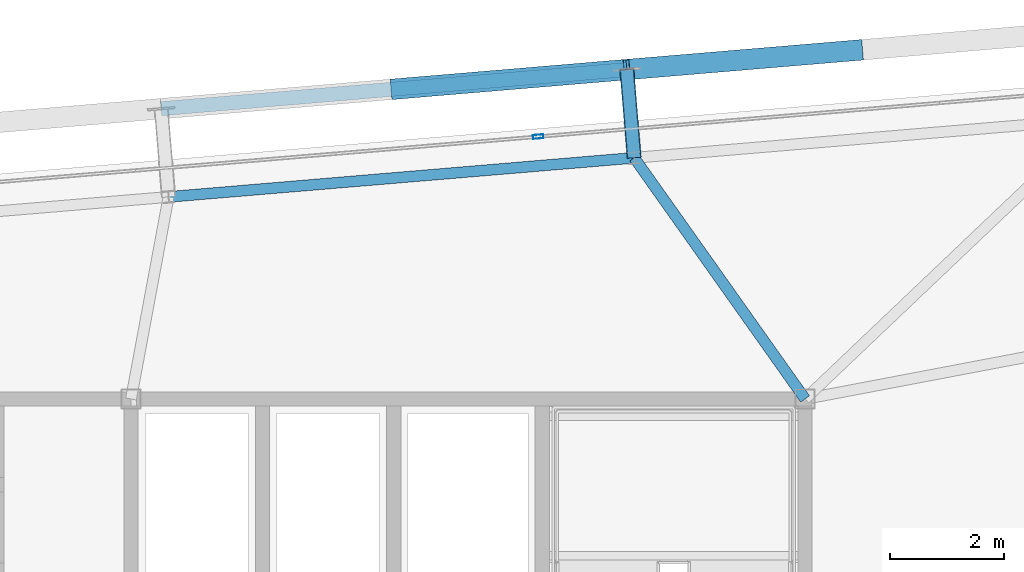
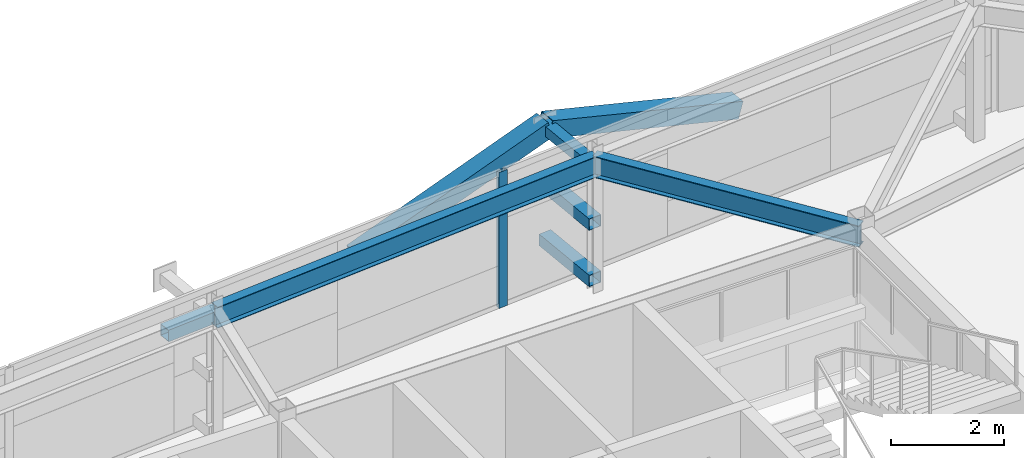
# One storey, part 24 of 37: 7 members, 2 beams, 1 element without a shape of its own.
"""IFC4 building model written with IfcOpenShell, lengths in metres."""

import ifcopenshell
import ifcopenshell.guid

model = None  # the IFC model being written
_history = None  # IfcOwnerHistory: only IFC2X3 demands one
_inside = {}  # id of a spatial element -> (the spatial element, [elements in it])
_under = {}  # id of a project, library or spatial element -> (it, [spatial elements below it])
_declared = {}  # id of a project -> (the project, [libraries it declares])
_typed = {}  # id of a type object -> (the type object, [elements of that type])
_made_of = {}  # id of a material, layer set ... -> (it, [elements and type objects made of it])


def new_model(schema):
    """Start an empty IFC model of exactly this schema.

    Asked for "IFC4X3", IfcOpenShell would pick the latest addendum, in which some entities
    have other attributes; the version numbers below select the first issue.
    IFC2X3 requires an IfcOwnerHistory on every rooted entity: one is made here for all.
    """
    global model, _history
    if schema == "IFC4X3":
        model = ifcopenshell.file(schema_version=(4, 3, 0, 0))
    else:
        model = ifcopenshell.file(schema=schema)
    _inside.clear()
    _under.clear()
    _declared.clear()
    _typed.clear()
    _made_of.clear()
    _history = None
    if model.schema == "IFC2X3":
        org = make("IfcOrganization", Name="unknown")
        user = make(
            "IfcPersonAndOrganization",
            ThePerson=make("IfcPerson", FamilyName="unknown"),
            TheOrganization=org,
        )
        app = make(
            "IfcApplication",
            ApplicationDeveloper=org,
            Version="unknown",
            ApplicationFullName="unknown",
            ApplicationIdentifier="unknown",
        )
        _history = make(
            "IfcOwnerHistory",
            OwningUser=user,
            OwningApplication=app,
            ChangeAction="ADDED",
            CreationDate=0,
        )
    return model


def make(cls, **values):
    """One entity of the class cls with the attributes given. An attribute that is None is left unset."""
    return model.create_entity(
        cls, **{name: value for name, value in values.items() if value is not None}
    )


def rooted(cls, **values):
    """An entity with a GlobalId (a new one), such as an element, a storey or a relation."""
    return make(cls, GlobalId=ifcopenshell.guid.new(), OwnerHistory=_history, **values)


def si_unit(unit_type, name, prefix=None):
    """IfcSIUnit, for example si_unit("LENGTHUNIT", "METRE", prefix="MILLI")."""
    return make("IfcSIUnit", UnitType=unit_type, Prefix=prefix, Name=name)


def assignment(units):
    """IfcUnitAssignment: the units of a project."""
    return None if units is None else make("IfcUnitAssignment", Units=units)


def point(xyz):
    """IfcCartesianPoint."""
    return None if xyz is None else make("IfcCartesianPoint", Coordinates=xyz)


def direction(xyz):
    """IfcDirection."""
    return None if xyz is None else make("IfcDirection", DirectionRatios=xyz)


def frame(location, z_axis=None, x_axis=None):
    """IfcAxis2Placement3D, a coordinate frame: its origin and axes. An axis left out is left unset."""
    return make(
        "IfcAxis2Placement3D",
        Location=point(location),
        Axis=direction(z_axis),
        RefDirection=direction(x_axis),
    )


def frame_2d(location, x_axis=None):
    """IfcAxis2Placement2D, a coordinate frame in the plane: its origin and x axis."""
    return make(
        "IfcAxis2Placement2D", Location=point(location), RefDirection=direction(x_axis)
    )


def origin():
    """The frame at (0, 0, 0) with its axes left unset."""
    return frame((0.0, 0.0, 0.0))


def origin_2d():
    """The frame at (0, 0) in the plane with its x axis left unset."""
    return frame_2d((0.0, 0.0))


def place(relative_to, where):
    """IfcLocalPlacement: puts the frame where relative to a parent placement (None: the world)."""
    return make(
        "IfcLocalPlacement", PlacementRelTo=relative_to, RelativePlacement=where
    )


def context(
    kind, dimensions, precision=None, world=None, true_north=None, identifier=None
):
    """IfcGeometricRepresentationContext, for example the 3D "Model" context."""
    return make(
        "IfcGeometricRepresentationContext",
        ContextIdentifier=identifier,
        ContextType=kind,
        CoordinateSpaceDimension=dimensions,
        Precision=precision,
        WorldCoordinateSystem=world,
        TrueNorth=true_north,
    )


def subcontext(parent, identifier, kind, view, scale=None):
    """IfcGeometricRepresentationSubContext, for example "Body" below "Model"."""
    return make(
        "IfcGeometricRepresentationSubContext",
        ContextIdentifier=identifier,
        ContextType=kind,
        ParentContext=parent,
        TargetScale=scale,
        TargetView=view,
    )


def project(units=None, contexts=None):
    """IfcProject with its units and contexts."""
    return rooted(
        "IfcProject",
        Name="project",
        RepresentationContexts=contexts,
        UnitsInContext=assignment(units),
    )


def spatial(cls, under=None, at=None, **own):
    """A site, building, storey or space (cls), placed at a placement, below another one or the project."""
    s = rooted(cls, ObjectPlacement=at, **own)
    if under is not None:
        _under.setdefault(under.id(), (under, []))[1].append(s)
    return s


def profile(cls, at=None, kind="AREA", **sizes):
    """A parametric profile (cls). Its sizes go by their IFC names, for example OverallWidth=200.0."""
    return make(cls, ProfileType=kind, Position=at, **sizes)


def hollow_rectangle(**sizes):
    """IfcRectangleHollowProfileDef."""
    return profile("IfcRectangleHollowProfileDef", **sizes)


def i_section(**sizes):
    """IfcIShapeProfileDef."""
    return profile("IfcIShapeProfileDef", **sizes)


def extrude(swept, where, along, depth):
    """IfcExtrudedAreaSolid: the profile swept, set in the frame where, extruded along a direction by depth."""
    return make(
        "IfcExtrudedAreaSolid",
        SweptArea=swept,
        Position=where,
        ExtrudedDirection=direction(along),
        Depth=depth,
    )


def shape(context_of_items, identifier, shape_type, items):
    """IfcShapeRepresentation: the items that make up one representation, for example the "Body"."""
    return make(
        "IfcShapeRepresentation",
        ContextOfItems=context_of_items,
        RepresentationIdentifier=identifier,
        RepresentationType=shape_type,
        Items=items,
    )


def source(mapping_origin, context_of_items, identifier, shape_type, items):
    """IfcRepresentationMap: a shape defined once, which mapped items show again and again."""
    return make(
        "IfcRepresentationMap",
        MappingOrigin=mapping_origin,
        MappedRepresentation=shape(context_of_items, identifier, shape_type, items),
    )


def transform(
    local_origin,
    x_axis=None,
    y_axis=None,
    z_axis=None,
    scale=None,
    scale2=None,
    scale3=None,
    uniform=True,
):
    """IfcCartesianTransformationOperator3D, or its non-uniform kind. x_axis, y_axis, z_axis: its Axis1, 2, 3."""
    if uniform:
        return make(
            "IfcCartesianTransformationOperator3D",
            Axis1=direction(x_axis),
            Axis2=direction(y_axis),
            LocalOrigin=point(local_origin),
            Scale=scale,
            Axis3=direction(z_axis),
        )
    return make(
        "IfcCartesianTransformationOperator3DnonUniform",
        Axis1=direction(x_axis),
        Axis2=direction(y_axis),
        LocalOrigin=point(local_origin),
        Scale=scale,
        Axis3=direction(z_axis),
        Scale2=scale2,
        Scale3=scale3,
    )


def mapped(mapping_source, mapping_target):
    """IfcMappedItem: shows the shape of a source again, moved by a transform."""
    return make(
        "IfcMappedItem", MappingSource=mapping_source, MappingTarget=mapping_target
    )


def material(Name=None, Category=None):
    """IfcMaterial."""
    return make("IfcMaterial", Name=Name, Category=Category)


def layer(
    of_material, thickness, ventilated=None, Name=None, Category=None, Priority=None
):
    """IfcMaterialLayer: one layer of a wall or slab, of a material (None: an air gap)."""
    return make(
        "IfcMaterialLayer",
        Material=of_material,
        LayerThickness=thickness,
        IsVentilated=ventilated,
        Name=Name,
        Category=Category,
        Priority=Priority,
    )


def layer_set(layers, Name=None):
    """IfcMaterialLayerSet."""
    return make("IfcMaterialLayerSet", MaterialLayers=layers, LayerSetName=Name)


def material_profile(
    of_material, cross_section, Name=None, Category=None, Priority=None
):
    """IfcMaterialProfile: a cross section and its material."""
    return make(
        "IfcMaterialProfile",
        Name=Name,
        Material=of_material,
        Profile=cross_section,
        Priority=Priority,
        Category=Category,
    )


def profile_set(profiles, Name=None, composite=None):
    """IfcMaterialProfileSet."""
    return make(
        "IfcMaterialProfileSet",
        Name=Name,
        MaterialProfiles=profiles,
        CompositeProfile=composite,
    )


def made_of(thing, what):
    """Note that an element or type object is made of a material, layer set ...; save() writes the relation."""
    if what is not None:
        _made_of.setdefault(what.id(), (what, []))[1].append(thing)
    return thing


def type_object(cls, material=None, **own):
    """A type object (cls), such as IfcWallType, which elements share."""
    return made_of(rooted(cls, **own), material)


def element(
    cls,
    number,
    at=None,
    inside=None,
    cuts=None,
    type_object=None,
    material=None,
    context=None,
    identifier="Body",
    shape_type=None,
    held_by="IfcProductDefinitionShape",
    body=None,
    shapes=None,
    **own,
):
    """One element of the class cls, such as IfcWall. Its Tag is "e" and its number.

    at: its placement. inside: the storey or other place that contains it. cuts: it is an
    opening in that element (IfcRelVoidsElement). A single representation is given by context,
    identifier, shape_type and body (its items); several are given by shapes. held_by: the class
    of the entity that holds the representations. save() writes the other relations.
    """
    e = rooted(cls, Tag="e%d" % number, ObjectPlacement=at, **own)
    if body is not None:
        shapes = [shape(context, identifier, shape_type, body)]
    if shapes is not None:
        e.Representation = make(held_by, Representations=shapes)
    if inside is not None:
        _inside.setdefault(inside.id(), (inside, []))[1].append(e)
    if cuts is not None:
        rooted(
            "IfcRelVoidsElement", RelatingBuildingElement=cuts, RelatedOpeningElement=e
        )
    if type_object is not None:
        _typed.setdefault(type_object.id(), (type_object, []))[1].append(e)
    return made_of(e, material)


def aggregate(whole, parts):
    """IfcRelAggregates: a whole, such as a stair, and the parts it consists of."""
    return rooted("IfcRelAggregates", RelatingObject=whole, RelatedObjects=parts)


def save(model, path):
    """Write the relations noted so far, then the file.

    IfcRelAggregates (storeys below a building ...), IfcRelContainedInSpatialStructure (elements
    in a storey), IfcRelDefinesByType, IfcRelAssociatesMaterial and IfcRelDeclares: one each for
    every whole, place, type object, material and project.
    """
    for whole, parts in _under.values():
        aggregate(whole, parts)
    for where, things in _inside.values():
        rooted(
            "IfcRelContainedInSpatialStructure",
            RelatedElements=things,
            RelatingStructure=where,
        )
    for kind, things in _typed.values():
        rooted("IfcRelDefinesByType", RelatedObjects=things, RelatingType=kind)
    for what, things in _made_of.values():
        rooted("IfcRelAssociatesMaterial", RelatedObjects=things, RelatingMaterial=what)
    for by, libraries in _declared.values():
        rooted("IfcRelDeclares", RelatingContext=by, RelatedDefinitions=libraries)
    model.write(path)


model = new_model("IFC4")

# Units and contexts
model_context = context("Model", 3, precision=1e-05, world=origin(), true_north=direction((0.0, 1.0)))
body_context = subcontext(model_context, "Body", "Model", "MODEL_VIEW")
ifc_project = project(units=[si_unit("LENGTHUNIT", "METRE"), si_unit("AREAUNIT", "SQUARE_METRE"), si_unit("VOLUMEUNIT", "CUBIC_METRE"), si_unit("PLANEANGLEUNIT", "RADIAN"), si_unit("MASSUNIT", "GRAM", prefix="KILO")], contexts=[model_context])

# Site, building, storey
site_placement = place(None, origin())
site = spatial("IfcSite", under=ifc_project, at=site_placement, CompositionType="ELEMENT")
building_placement = place(site_placement, origin())
building = spatial("IfcBuilding", under=site, at=building_placement, Name="Taldren Reach Tower", CompositionType="ELEMENT")
storey_placement = place(building_placement, frame((0.0, 0.0, 182.0)))
storey = spatial("IfcBuildingStorey", under=building, at=storey_placement, Name="L55", CompositionType="ELEMENT", Elevation=182.0)

# Members
ifc_material_1 = material(Name="Steel Gr 350 (C350L0)", Category="steel")
ifc_material_profile_1 = material_profile(ifc_material_1, hollow_rectangle(XDim=0.25, YDim=0.25, WallThickness=0.010009765625, at=origin_2d()), Name="250x250x10.0SHS")
ifc_profile_set_1 = profile_set([ifc_material_profile_1], Name="Steel Gr 350 (C350L0)")
member_type_1 = type_object("IfcMemberType", Name="MB-POST250", PredefinedType="POST", material=ifc_profile_set_1)
shared_shape_1 = source(origin(), body_context, "Body", "SweptSolid", [
    extrude(hollow_rectangle(XDim=0.25, YDim=0.25, WallThickness=0.010009765625, at=origin_2d()), origin(), (0.0, 0.0, 1.0), 1.550048828125),
])
for number, where, z_axis, x_axis, name in (
    (1, (48.009033203125, 36.221435546875, 0.219970703125), (-0.083632013783, 0.996496706603, 0.0), (-0.996496706603, -0.083632013783, 0.0), "Exoskeleton base diaphragm tie strut B4-N5 L55"),
    (2, (48.009033203125, 36.221435546875, 1.43505859375), (-0.083632013783, 0.996496706603, 0.0), (-0.996496706603, -0.083632013783, 0.0), "Exoskeleton mid-tier diaphragm tie B4-N5 L55"),
):
    element("IfcMember", number, at=place(storey_placement, frame(where, z_axis=z_axis, x_axis=x_axis)), inside=storey, type_object=member_type_1, Name=name, PredefinedType="POST", context=body_context, shape_type="MappedRepresentation", body=[
        mapped(shared_shape_1, transform((0.0, 0.0, 0.0), scale=1.0)),
    ])

# Beams
ifc_material_2 = material(Name="Steel Gr 350 (350PLUS)", Category="steel")
ifc_material_profile_2 = material_profile(ifc_material_2, i_section(OverallWidth=0.18994140625, OverallDepth=0.4541015625, WebThickness=0.008544921875, FlangeThickness=0.0126953125, at=origin_2d()), Name="460UB67.1")
ifc_profile_set_2 = profile_set([ifc_material_profile_2], Name="Steel Gr 350 (350PLUS)")
beam_type_1 = type_object("IfcBeamType", Name="SP-UB460B", PredefinedType="SPANDREL", material=ifc_profile_set_2)
shared_shape_2 = source(origin(), body_context, "Body", "SweptSolid", [
    extrude(i_section(OverallWidth=0.18994140625, OverallDepth=0.4541015625, WebThickness=0.008544921875, FlangeThickness=0.0126953125, at=origin_2d()), origin(), (0.0, 0.0, 1.0), 8.179931640625),
])
beam_1_placement = place(storey_placement, frame((48.009033203125, 36.221435546875, 2.702880859375), z_axis=(-0.996494523218, -0.083658025296, 0.0), x_axis=(0.083658025296, -0.996494523218, 0.0)))
element("IfcBeam", 3, at=beam_1_placement, inside=storey, type_object=beam_type_1, Name="Perimeter spandrel B4 N5-N4 L55", PredefinedType="SPANDREL", context=body_context, shape_type="MappedRepresentation", body=[
    mapped(shared_shape_2, transform((0.0, 0.0, 0.0), scale=1.0)),
])
ifc_material_profile_3 = material_profile(ifc_material_2, i_section(OverallWidth=0.19091796875, OverallDepth=0.4599609375, WebThickness=0.010009765625, FlangeThickness=0.01611328125, at=origin_2d()), Name="460UB82.1")
ifc_profile_set_3 = profile_set([ifc_material_profile_3], Name="Steel Gr 350 (350PLUS)")
beam_type_2 = type_object("IfcBeamType", Name="BM-UB460A", PredefinedType="BEAM", material=ifc_profile_set_3)
shared_shape_3 = source(origin(), body_context, "Body", "SweptSolid", [
    extrude(i_section(OverallWidth=0.19091796875, OverallDepth=0.4599609375, WebThickness=0.010009765625, FlangeThickness=0.01611328125, at=origin_2d()), origin(), (0.0, 0.0, 1.0), 5.173583984375),
])
beam_2_placement = place(storey_placement, frame((51.0, 32.0, 2.699951171875), z_axis=(-0.578118152709, 0.8159530633, 0.0), x_axis=(-0.8159530633, -0.578118152709, 0.0)))
element("IfcBeam", 4, at=beam_2_placement, inside=storey, type_object=beam_type_2, Name="Primary floor girder B4-N5 L55", PredefinedType="BEAM", context=body_context, shape_type="MappedRepresentation", body=[
    mapped(shared_shape_3, transform((0.0, 0.0, 0.0), scale=1.0)),
])

# Members
ifc_material_3 = material(Name="Steel Gr 450 (C450L0)", Category="steel")
ifc_material_profile_4 = material_profile(ifc_material_3, hollow_rectangle(XDim=0.219970703125, YDim=0.219970703125, WallThickness=0.00830078125, at=origin_2d()), Name="220x220x8.2SHS")
ifc_profile_set_4 = profile_set([ifc_material_profile_4], Name="Steel Gr 450 (C450L0)")
member_type_2 = type_object("IfcMemberType", Name="MB-TIE219", PredefinedType="STRUT", material=ifc_profile_set_4)
shared_shape_4 = source(origin(), body_context, "Body", "SweptSolid", [
    extrude(hollow_rectangle(XDim=0.219970703125, YDim=0.219970703125, WallThickness=0.00830078125, at=origin_2d()), origin(), (0.0, 0.0, 1.0), 1.550048828125),
])
member_1_placement = place(storey_placement, frame((48.009033203125, 36.221435546875, 2.64990234375), z_axis=(-0.083632013783, 0.996496706603, 0.0), x_axis=(-0.996496706603, -0.083632013783, 0.0)))
element("IfcMember", 5, at=member_1_placement, inside=storey, type_object=member_type_2, Name="Exoskeleton diaphragm tie strut B4-N5 L55", PredefinedType="STRUT", context=body_context, shape_type="MappedRepresentation", body=[
    mapped(shared_shape_4, transform((0.0, 0.0, 0.0), scale=1.0)),
])
shared_shape_5 = source(origin(), body_context, "Body", "SweptSolid", [
    extrude(hollow_rectangle(XDim=0.25, YDim=0.25, WallThickness=0.010009765625, at=origin_2d()), origin(), (0.0, 0.0, 1.0), 8.18017578125),
])
member_2_placement = place(storey_placement, frame((39.72802734375, 37.08154296875, 1.43505859375), z_axis=(0.996492034688, 0.083687662192, 0.0), x_axis=(-0.083687662192, 0.996492034688, 0.0)))
element("IfcMember", 6, at=member_2_placement, inside=storey, type_object=member_type_1, Name="Exoskeleton mid-height ring chord B4-N4 L55", PredefinedType="POST", context=body_context, shape_type="MappedRepresentation", body=[
    mapped(shared_shape_5, transform((0.0, 0.0, 0.0), scale=1.0)),
])
ifc_material_profile_5 = material_profile(ifc_material_3, hollow_rectangle(XDim=0.360107421875, YDim=0.360107421875, WallThickness=0.0126953125, at=origin_2d()), Name="360x360x12.7SHS")
ifc_profile_set_5 = profile_set([ifc_material_profile_5], Name="Steel Gr 450 (C450L0)")
member_type_3 = type_object("IfcMemberType", Name="MB-EXO356", PredefinedType="BRACE", material=ifc_profile_set_5)
shared_shape_6 = source(origin(), body_context, "Body", "SweptSolid", [
    extrude(hollow_rectangle(XDim=0.360107421875, YDim=0.360107421875, WallThickness=0.0126953125, at=origin_2d()), origin(), (0.0, 0.0, 1.0), 4.2666015625),
])
for number, where, z_axis, x_axis, name in (
    (7, (43.8037109375, 37.423828125, 1.43505859375), (0.955244723646, 0.080223619417, 0.284730906006), (-0.083687662192, 0.996492034688, 0.0), "Exoskeleton Diagrid Brace B4-N4 L55"),
    (8, (51.955078125, 38.1083984375, 1.43505859375), (-0.955244723646, -0.080223619417, 0.284730906006), (0.083687662192, -0.996492034688, 0.0), "Exoskeleton Diagrid Brace B4-N5 L55"),
):
    element("IfcMember", number, at=place(storey_placement, frame(where, z_axis=z_axis, x_axis=x_axis)), inside=storey, type_object=member_type_3, Name=name, PredefinedType="BRACE", context=body_context, shape_type="MappedRepresentation", body=[
        mapped(shared_shape_6, transform((0.0, 0.0, 0.0), scale=1.0)),
    ])

# Curtain wall, member
ifc_material_4 = material(Name="Aluminium and Low-E Glass Unitised System", Category="aluminium")
ifc_layer = layer(ifc_material_4, 0.159912109375)
ifc_layer_set = layer_set([ifc_layer], Name="Aluminium and Low-E Glass Unitised System")
curtain_wall_type = type_object("IfcCurtainWallType", Name="CW-SYS-5", PredefinedType="NOTDEFINED", material=ifc_layer_set)
curtain_wall_placement = place(storey_placement, origin())
curtain_wall = element("IfcCurtainWall", 9, at=curtain_wall_placement, inside=storey, type_object=curtain_wall_type, Name="Unitised curtain wall CW-L55-N", PredefinedType="NOTDEFINED")
ifc_material_5 = material(Name="Anodised Aluminium 6063-T6", Category="aluminium")
ifc_material_profile_6 = material_profile(ifc_material_5, hollow_rectangle(XDim=0.070068359375, YDim=0.179931640625, WallThickness=0.00390625, at=origin_2d()), Name="ALU-180x70x4RHS")
ifc_profile_set_6 = profile_set([ifc_material_profile_6], Name="Anodised Aluminium 6063-T6")
member_type_4 = type_object("IfcMemberType", Name="CW-MUL-180", PredefinedType="MULLION", material=ifc_profile_set_6)
shared_shape_7 = source(origin(), body_context, "Body", "SweptSolid", [
    extrude(hollow_rectangle(XDim=0.070068359375, YDim=0.179931640625, WallThickness=0.00390625, at=origin_2d()), origin(), (0.0, 0.0, 1.0), 2.929931640625),
])
member_3_placement = place(storey_placement, frame((46.3271484375, 36.592041015625, 0.0), z_axis=(0.0, 0.0, 1.0), x_axis=(0.083677875247, -0.99649285657, 0.0)))
member_3 = element("IfcMember", 10, at=member_3_placement, type_object=member_type_4, Name="CW-5 mullion 2", PredefinedType="MULLION", context=body_context, shape_type="MappedRepresentation", body=[
    mapped(shared_shape_7, transform((0.0, 0.0, 0.0), scale=1.0)),
])
aggregate(curtain_wall, [member_3])

save(model, "model.ifc")
